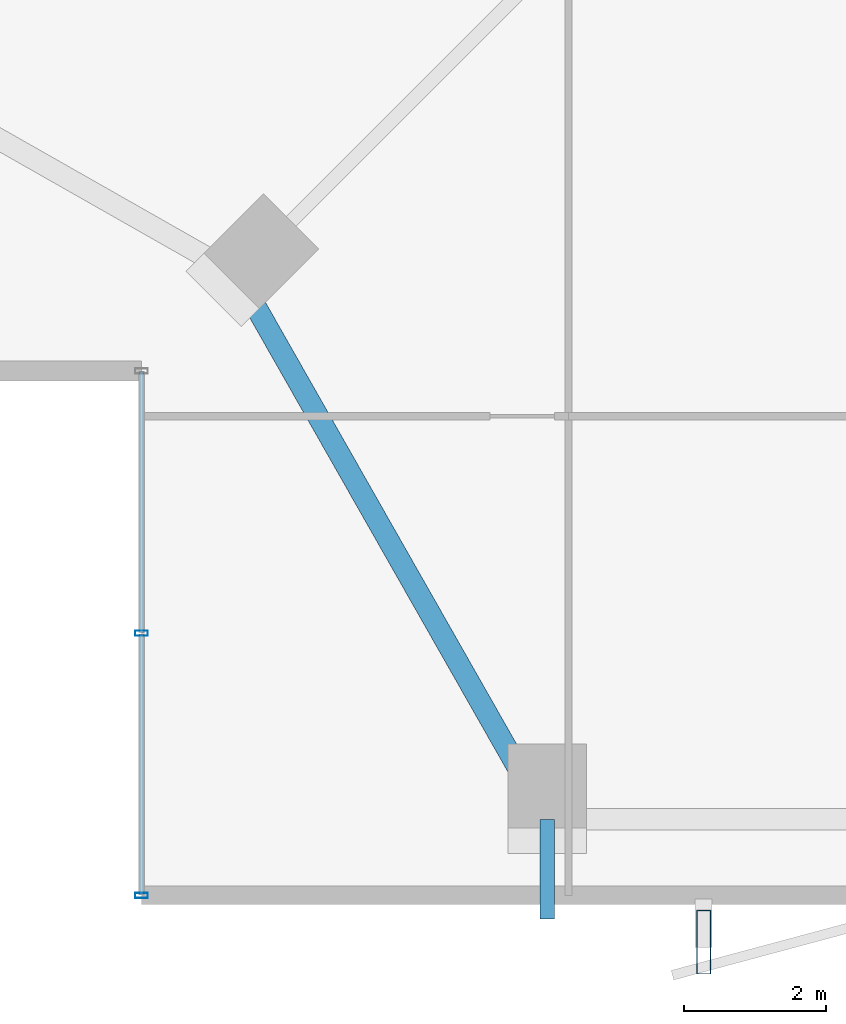
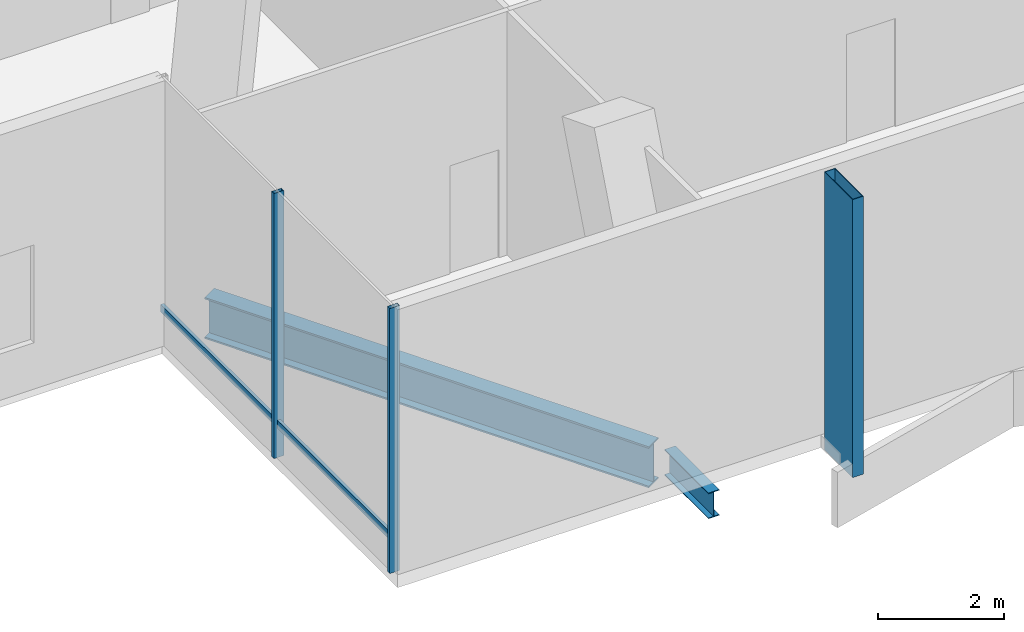
# One storey, part 2 of 33: 5 members, 2 beams, 1 element without a shape of its own.
"""IFC4 building model written with IfcOpenShell, lengths in metres."""

from ifc_helpers import new_model, si_unit, direction, frame, origin, origin_2d, place, context, subcontext, project, spatial, hollow_rectangle, i_section, extrude, material, layer, layer_set, material_profile, profile_set, type_object, element, aggregate, save


model = new_model("IFC4")

# Units and contexts
model_context = context("Model", 3, precision=1e-05, world=origin(), true_north=direction((0.0, 1.0)))
body_context = subcontext(model_context, "Body", "Model", "MODEL_VIEW")
ifc_project = project(units=[si_unit("LENGTHUNIT", "METRE"), si_unit("AREAUNIT", "SQUARE_METRE"), si_unit("VOLUMEUNIT", "CUBIC_METRE"), si_unit("PLANEANGLEUNIT", "RADIAN"), si_unit("MASSUNIT", "GRAM", prefix="KILO")], contexts=[model_context])

# Site, building, storey
site_placement = place(None, origin())
site = spatial("IfcSite", under=ifc_project, at=site_placement, CompositionType="ELEMENT")
building_placement = place(site_placement, origin())
building = spatial("IfcBuilding", under=site, at=building_placement, Name="Belovzor Exchange Tower", CompositionType="ELEMENT")
storey_placement = place(building_placement, frame((0.0, 0.0, 241.199951171875)))
storey = spatial("IfcBuildingStorey", under=building, at=storey_placement, Name="L60", CompositionType="ELEMENT", Elevation=241.199951171875)

# Beams
ifc_material_1 = material(Name="Steel S355", Category="steel")
ifc_material_profile_1 = material_profile(ifc_material_1, i_section(OverallWidth=0.199951171875, OverallDepth=0.5, WebThickness=0.01025390625, FlangeThickness=0.01611328125, at=origin_2d()))
ifc_profile_set_1 = profile_set([ifc_material_profile_1], Name="Steel S355")
beam_type_1 = type_object("IfcBeamType", Name="Planted Balcony Cantilever Beam IPE 500", PredefinedType="BEAM", material=ifc_profile_set_1)
beam_1_placement = place(storey_placement, frame((15.0, 3.0, -0.5), z_axis=(0.0, -1.0, 0.0), x_axis=(1.0, 0.0, 0.0)))
element("IfcBeam", 1, at=beam_1_placement, inside=storey, type_object=beam_type_1, Name="BC-500 Planted Balcony Cantilever Beam IPE 500", PredefinedType="BEAM", context=body_context, shape_type="SweptSolid", body=[
    extrude(i_section(OverallWidth=0.199951171875, OverallDepth=0.5, WebThickness=0.01025390625, FlangeThickness=0.01611328125, at=origin_2d()), origin(), (0.0, 0.0, 1.0), 1.39990234375),
])
ifc_material_2 = material(Name="Steel S355", Category="steel")
ifc_material_profile_2 = material_profile(ifc_material_2, i_section(OverallWidth=0.300048828125, OverallDepth=0.800048828125, WebThickness=0.017578125, FlangeThickness=0.032958984375, at=origin_2d()))
ifc_profile_set_2 = profile_set([ifc_material_profile_2], Name="Steel S355")
beam_type_2 = type_object("IfcBeamType", Name="Sky-Lobby Primary Girder HEB 800", PredefinedType="BEAM", material=ifc_profile_set_2)
beam_2_placement = place(storey_placement, frame((10.800048828125, 10.386962890625, -0.64990234375), z_axis=(0.494222323641, -0.869335547884, 0.0), x_axis=(0.869335547884, 0.494222323641, 0.0)))
element("IfcBeam", 2, at=beam_2_placement, inside=storey, type_object=beam_type_2, Name="SG-1 Sky-Lobby Primary Girder HEB 800", PredefinedType="BEAM", context=body_context, shape_type="SweptSolid", body=[
    extrude(i_section(OverallWidth=0.300048828125, OverallDepth=0.800048828125, WebThickness=0.017578125, FlangeThickness=0.032958984375, at=origin_2d()), origin(), (0.0, 0.0, 1.0), 8.19482421875),
])

# Member
ifc_material_3 = material(Name="Extruded Architectural Terracotta on Steel S355 Carrier", Category="masonry")
ifc_material_profile_3 = material_profile(ifc_material_3, hollow_rectangle(XDim=0.199951171875, YDim=0.89990234375, WallThickness=0.011962890625, at=origin_2d()))
ifc_profile_set_3 = profile_set([ifc_material_profile_3], Name="Extruded Architectural Terracotta on Steel S355 Carrier")
member_type_1 = type_object("IfcMemberType", Name="Sweeping Terracotta Baguette Fin Assembly 950", PredefinedType="USERDEFINED", material=ifc_profile_set_3)
member_1_placement = place(storey_placement, frame((17.199951171875, 1.27490234375, -0.25), z_axis=(0.0, 0.0, 1.0), x_axis=(1.0, 0.0, 0.0)))
element("IfcMember", 3, at=member_1_placement, inside=storey, type_object=member_type_1, Name="FIN-TC095 Terracotta Facade Fin L60 S1", ObjectType="FIN", PredefinedType="USERDEFINED", context=body_context, shape_type="SweptSolid", body=[
    extrude(hollow_rectangle(XDim=0.199951171875, YDim=0.89990234375, WallThickness=0.011962890625, at=origin_2d()), origin(), (0.0, 0.0, 1.0), 5.400146484375),
])

# Curtain wall, members
ifc_material_4 = material(Name="Anodised Aluminium Framing", Category="aluminium")
ifc_layer = layer(ifc_material_4, 0.195068359375)
ifc_layer_set = layer_set([ifc_layer], Name="Anodised Aluminium Framing")
curtain_wall_type = type_object("IfcCurtainWallType", Name="Notched Re-Entrant Corner Unitised Curtain Wall", PredefinedType="NOTDEFINED", material=ifc_layer_set)
curtain_wall_placement = place(storey_placement, origin())
curtain_wall = element("IfcCurtainWall", 4, at=curtain_wall_placement, inside=storey, type_object=curtain_wall_type, Name="CW5 Notched Re-Entrant Corner Unitised Curtain Wall L60", PredefinedType="NOTDEFINED")
ifc_material_5 = material(Name="Steel S355", Category="steel")
ifc_material_profile_4 = material_profile(ifc_material_5, hollow_rectangle(XDim=0.074951171875, YDim=0.179931640625, WallThickness=0.0048828125, at=origin_2d()))
ifc_profile_set_4 = profile_set([ifc_material_profile_4], Name="Steel S355")
member_type_2 = type_object("IfcMemberType", Name="Thermally Broken Curtain Wall Mullion 180x75", PredefinedType="MULLION", material=ifc_profile_set_4)
member_2_placement = place(storey_placement, frame((9.300048828125, 1.929931640625, 0.0), z_axis=(0.0, 0.0, 1.0), x_axis=(0.0, 1.0, 0.0)))
member_2 = element("IfcMember", 5, at=member_2_placement, type_object=member_type_2, Name="CW-M180 Curtain Wall Mullion 1", PredefinedType="MULLION", context=body_context, shape_type="SweptSolid", body=[
    extrude(hollow_rectangle(XDim=0.074951171875, YDim=0.179931640625, WallThickness=0.0048828125, at=origin_2d()), origin(), (0.0, 0.0, 1.0), 5.150146484375),
])
member_3_placement = place(storey_placement, frame((9.300048828125, 5.614990234375, 0.0), z_axis=(0.0, 0.0, 1.0), x_axis=(0.0, 1.0, 0.0)))
member_3 = element("IfcMember", 6, at=member_3_placement, type_object=member_type_2, Name="CW-M180 Curtain Wall Mullion 2", PredefinedType="MULLION", context=body_context, shape_type="SweptSolid", body=[
    extrude(hollow_rectangle(XDim=0.074951171875, YDim=0.179931640625, WallThickness=0.0048828125, at=origin_2d()), origin(), (0.0, 0.0, 1.0), 5.150146484375),
])
ifc_material_6 = material(Name="Steel S355", Category="steel")
ifc_material_profile_5 = material_profile(ifc_material_6, hollow_rectangle(XDim=0.06005859375, YDim=0.14990234375, WallThickness=0.00390625, at=origin_2d()))
ifc_profile_set_5 = profile_set([ifc_material_profile_5], Name="Steel S355")
member_type_3 = type_object("IfcMemberType", Name="Thermally Broken Curtain Wall Transom 150x60", PredefinedType="USERDEFINED", material=ifc_profile_set_5)
member_4_placement = place(storey_placement, frame((9.300048828125, 1.93798828125, 0.650146484375), z_axis=(0.0, 1.0, 0.0), x_axis=(-1.0, 0.0, 0.0)))
member_4 = element("IfcMember", 7, at=member_4_placement, type_object=member_type_3, Name="CW-T150 Curtain Wall Transom 1", ObjectType="TRANSOM", PredefinedType="USERDEFINED", context=body_context, shape_type="SweptSolid", body=[
    extrude(hollow_rectangle(XDim=0.06005859375, YDim=0.14990234375, WallThickness=0.00390625, at=origin_2d()), origin(), (0.0, 0.0, 1.0), 3.6689453125),
])
member_5_placement = place(storey_placement, frame((9.300048828125, 5.623046875, 0.650146484375), z_axis=(0.0, 1.0, 0.0), x_axis=(-1.0, 0.0, 0.0)))
member_5 = element("IfcMember", 8, at=member_5_placement, type_object=member_type_3, Name="CW-T150 Curtain Wall Transom 2", ObjectType="TRANSOM", PredefinedType="USERDEFINED", context=body_context, shape_type="SweptSolid", body=[
    extrude(hollow_rectangle(XDim=0.06005859375, YDim=0.14990234375, WallThickness=0.00390625, at=origin_2d()), origin(), (0.0, 0.0, 1.0), 3.6689453125),
])
aggregate(curtain_wall, [member_2, member_3, member_4, member_5])

save(model, "model.ifc")
